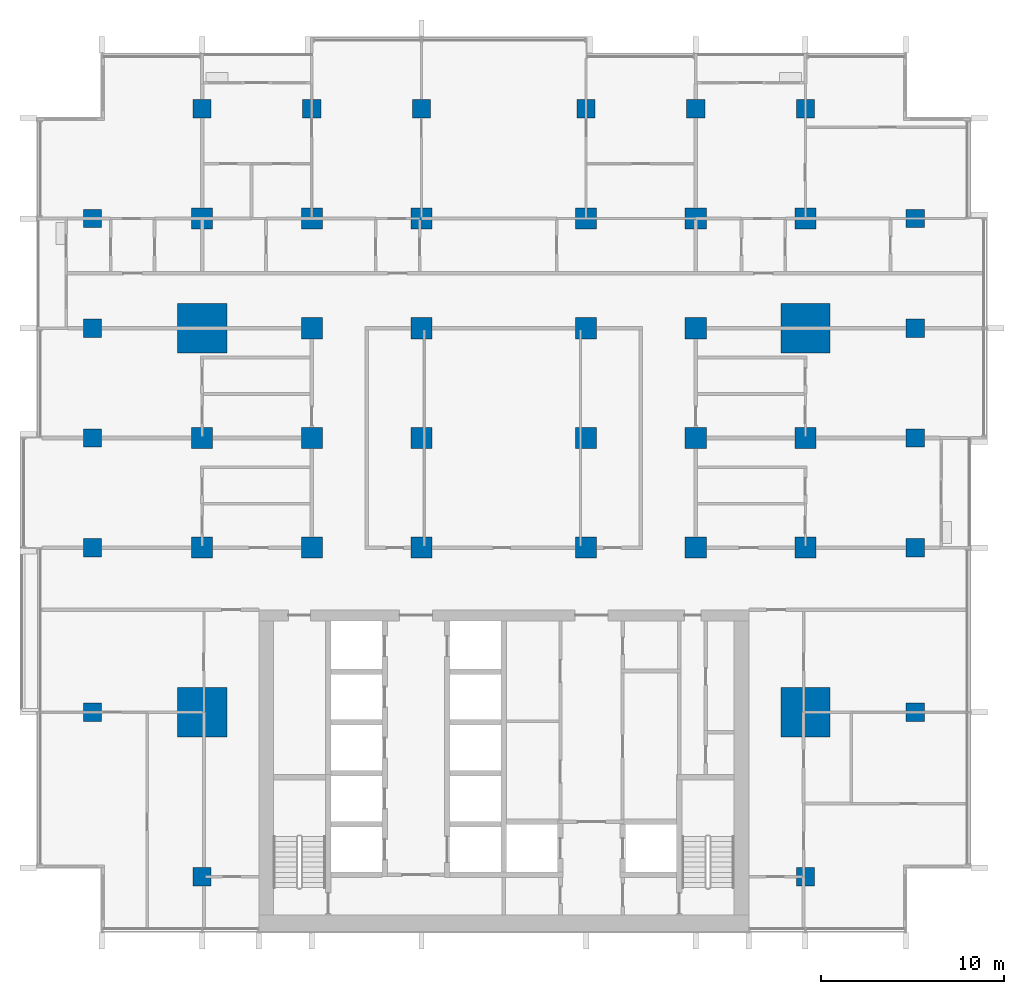
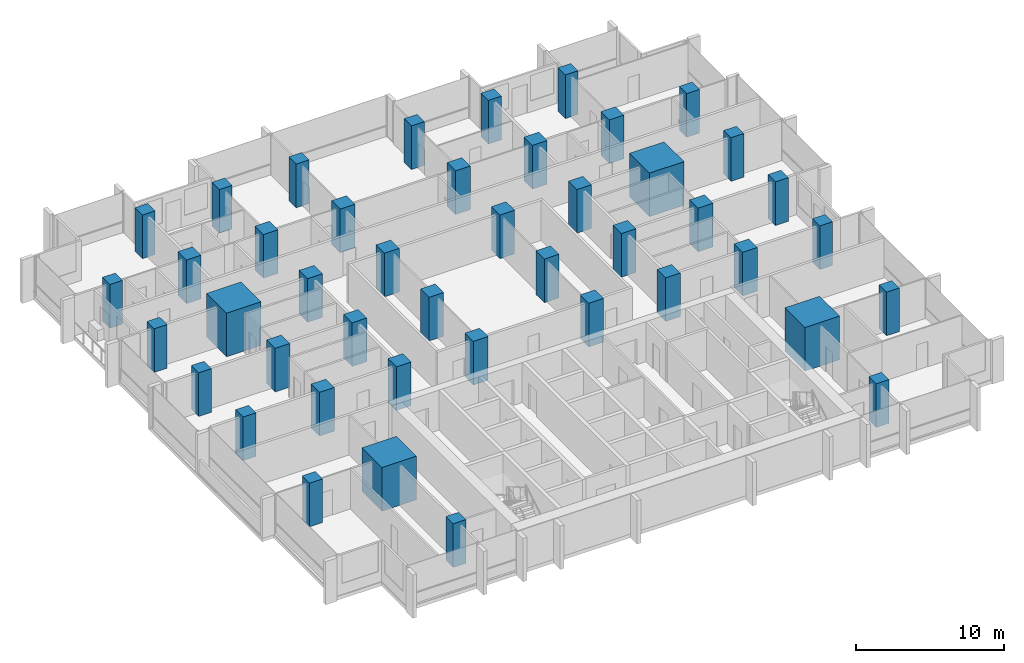
# One storey, part 1 of 17: 44 columns.
"""IFC4 building model written with IfcOpenShell, lengths in metres."""

from ifc_helpers import new_model, si_unit, direction, frame, origin, origin_2d, place, context, subcontext, project, spatial, rectangle, extrude, material, material_profile, profile_set, type_object, element, save


model = new_model("IFC4")

# Units and contexts
model_context = context("Model", 3, precision=1e-05, world=origin(), true_north=direction((0.0, 1.0)))
body_context = subcontext(model_context, "Body", "Model", "MODEL_VIEW")
ifc_project = project(units=[si_unit("LENGTHUNIT", "METRE"), si_unit("AREAUNIT", "SQUARE_METRE"), si_unit("VOLUMEUNIT", "CUBIC_METRE"), si_unit("PLANEANGLEUNIT", "RADIAN"), si_unit("MASSUNIT", "GRAM", prefix="KILO")], contexts=[model_context])

# Site, building, storey
site_placement = place(None, origin())
site = spatial("IfcSite", under=ifc_project, at=site_placement, CompositionType="ELEMENT")
building_placement = place(site_placement, origin())
building = spatial("IfcBuilding", under=site, at=building_placement, Name="Finial Court Residences", CompositionType="ELEMENT")
storey_placement = place(building_placement, frame((0.0, 0.0, 120.699951171875)))
storey = spatial("IfcBuildingStorey", under=building, at=storey_placement, Name="L30", CompositionType="ELEMENT", Elevation=120.699951171875)

# Columns
ifc_material = material(Name="Concrete C70/85", Category="concrete")
ifc_material_profile_1 = material_profile(ifc_material, rectangle(XDim=1.14990234375, YDim=1.14990234375, at=origin_2d()), Name="1150x1150")
ifc_profile_set_1 = profile_set([ifc_material_profile_1], Name="Concrete C70/85")
column_type_1 = type_object("IfcColumnType", Name="Interior column 1150x1150 Concrete C70/85", PredefinedType="COLUMN", material=ifc_profile_set_1)
for number, where, z_axis, x_axis, name in (
    (1, (-16.5, -4.5, 0.0), (0.0, 0.0, 1.0), (1.0, 0.0, 0.0), "S:COL:L30:C4"),
    (2, (-16.5, 1.5, 0.0), (0.0, 0.0, 1.0), (1.0, 0.0, 0.0), "S:COL:L30:C5"),
    (3, (-16.5, 13.5, 0.0), (0.0, 0.0, 1.0), (1.0, 0.0, 0.0), "S:COL:L30:C7"),
    (4, (-10.5, -4.5, 0.0), (0.0, 0.0, 1.0), (1.0, 0.0, 0.0), "S:COL:L30:D4"),
    (5, (-10.5, 1.5, 0.0), (0.0, 0.0, 1.0), (1.0, 0.0, 0.0), "S:COL:L30:D5"),
    (6, (-10.5, 7.5, 0.0), (0.0, 0.0, 1.0), (1.0, 0.0, 0.0), "S:COL:L30:D6"),
    (7, (-10.5, 13.5, 0.0), (0.0, 0.0, 1.0), (1.0, 0.0, 0.0), "S:COL:L30:D7"),
    (8, (-4.5, -4.5, 0.0), (0.0, 0.0, 1.0), (1.0, 0.0, 0.0), "S:COL:L30:E4"),
    (9, (-4.5, 1.5, 0.0), (0.0, 0.0, 1.0), (1.0, 0.0, 0.0), "S:COL:L30:E5"),
    (10, (-4.5, 7.5, 0.0), (0.0, 0.0, 1.0), (1.0, 0.0, 0.0), "S:COL:L30:E6"),
    (11, (-4.5, 13.5, 0.0), (0.0, 0.0, 1.0), (1.0, 0.0, 0.0), "S:COL:L30:E7"),
    (12, (4.5, -4.5, 0.0), (0.0, 0.0, 1.0), (1.0, 0.0, 0.0), "S:COL:L30:F4"),
    (13, (4.5, 1.5, 0.0), (0.0, 0.0, 1.0), (1.0, 0.0, 0.0), "S:COL:L30:F5"),
    (14, (4.5, 7.5, 0.0), (0.0, 0.0, 1.0), (1.0, 0.0, 0.0), "S:COL:L30:F6"),
    (15, (4.5, 13.5, 0.0), (0.0, 0.0, 1.0), (1.0, 0.0, 0.0), "S:COL:L30:F7"),
    (16, (10.5, -4.5, 0.0), (0.0, 0.0, 1.0), (1.0, 0.0, 0.0), "S:COL:L30:G4"),
    (17, (10.5, 1.5, 0.0), (0.0, 0.0, 1.0), (1.0, 0.0, 0.0), "S:COL:L30:G5"),
    (18, (10.5, 7.5, 0.0), (0.0, 0.0, 1.0), (1.0, 0.0, 0.0), "S:COL:L30:G6"),
    (19, (10.5, 13.5, 0.0), (0.0, 0.0, 1.0), (1.0, 0.0, 0.0), "S:COL:L30:G7"),
    (20, (16.5, -4.5, 0.0), (0.0, 0.0, 1.0), (1.0, 0.0, 0.0), "S:COL:L30:H4"),
    (21, (16.5, 1.5, 0.0), (0.0, 0.0, 1.0), (1.0, 0.0, 0.0), "S:COL:L30:H5"),
    (22, (16.5, 13.5, 0.0), (0.0, 0.0, 1.0), (1.0, 0.0, 0.0), "S:COL:L30:H7"),
):
    element("IfcColumn", number, at=place(storey_placement, frame(where, z_axis=z_axis, x_axis=x_axis)), inside=storey, type_object=column_type_1, Name=name, PredefinedType="COLUMN", context=body_context, shape_type="SweptSolid", body=[
        extrude(rectangle(XDim=1.14990234375, YDim=1.14990234375, at=origin_2d()), origin(), (0.0, 0.0, 1.0), 3.60009765625),
    ])
ifc_material_profile_2 = material_profile(ifc_material, rectangle(XDim=2.699951171875, YDim=2.699951171875, at=origin_2d()), Name="2700x2700")
ifc_profile_set_2 = profile_set([ifc_material_profile_2], Name="Concrete C70/85")
column_type_2 = type_object("IfcColumnType", Name="Mega column 2700x2700 Concrete C70/85", PredefinedType="COLUMN", material=ifc_profile_set_2)
for number, where, z_axis, x_axis, name in (
    (23, (-16.5, -13.5, 0.0), (0.0, 0.0, 1.0), (1.0, 0.0, 0.0), "S:COL:L30:C3"),
    (24, (-16.5, 7.5, 0.0), (0.0, 0.0, 1.0), (1.0, 0.0, 0.0), "S:COL:L30:C6"),
    (25, (16.5, -13.5, 0.0), (0.0, 0.0, 1.0), (1.0, 0.0, 0.0), "S:COL:L30:H3"),
    (26, (16.5, 7.5, 0.0), (0.0, 0.0, 1.0), (1.0, 0.0, 0.0), "S:COL:L30:H6"),
):
    element("IfcColumn", number, at=place(storey_placement, frame(where, z_axis=z_axis, x_axis=x_axis)), inside=storey, type_object=column_type_2, Name=name, PredefinedType="COLUMN", context=body_context, shape_type="SweptSolid", body=[
        extrude(rectangle(XDim=2.699951171875, YDim=2.699951171875, at=origin_2d()), origin(), (0.0, 0.0, 1.0), 3.60009765625),
    ])
ifc_material_profile_3 = material_profile(ifc_material, rectangle(XDim=1.0, YDim=1.0, at=origin_2d()), Name="1000x1000")
ifc_profile_set_3 = profile_set([ifc_material_profile_3], Name="Concrete C70/85")
column_type_3 = type_object("IfcColumnType", Name="Perimeter column 1000x1000 Concrete C70/85", PredefinedType="COLUMN", material=ifc_profile_set_3)
for number, where, z_axis, x_axis, name in (
    (27, (-22.5, -13.5, 0.0), (0.0, 0.0, 1.0), (1.0, 0.0, 0.0), "S:COL:L30:B3"),
    (28, (-22.5, -4.5, 0.0), (0.0, 0.0, 1.0), (1.0, 0.0, 0.0), "S:COL:L30:B4"),
    (29, (-22.5, 1.5, 0.0), (0.0, 0.0, 1.0), (1.0, 0.0, 0.0), "S:COL:L30:B5"),
    (30, (-22.5, 7.5, 0.0), (0.0, 0.0, 1.0), (1.0, 0.0, 0.0), "S:COL:L30:B6"),
    (31, (-22.5, 13.5, 0.0), (0.0, 0.0, 1.0), (1.0, 0.0, 0.0), "S:COL:L30:B7"),
    (32, (-16.5, -22.5, 0.0), (0.0, 0.0, 1.0), (1.0, 0.0, 0.0), "S:COL:L30:C2"),
    (33, (-16.5, 19.5, 0.0), (0.0, 0.0, 1.0), (1.0, 0.0, 0.0), "S:COL:L30:C8"),
    (34, (-10.5, 19.5, 0.0), (0.0, 0.0, 1.0), (1.0, 0.0, 0.0), "S:COL:L30:D8"),
    (35, (-4.5, 19.5, 0.0), (0.0, 0.0, 1.0), (1.0, 0.0, 0.0), "S:COL:L30:E8"),
    (36, (4.5, 19.5, 0.0), (0.0, 0.0, 1.0), (1.0, 0.0, 0.0), "S:COL:L30:F8"),
    (37, (10.5, 19.5, 0.0), (0.0, 0.0, 1.0), (1.0, 0.0, 0.0), "S:COL:L30:G8"),
    (38, (16.5, -22.5, 0.0), (0.0, 0.0, 1.0), (1.0, 0.0, 0.0), "S:COL:L30:H2"),
    (39, (16.5, 19.5, 0.0), (0.0, 0.0, 1.0), (1.0, 0.0, 0.0), "S:COL:L30:H8"),
    (40, (22.5, -13.5, 0.0), (0.0, 0.0, 1.0), (1.0, 0.0, 0.0), "S:COL:L30:I3"),
    (41, (22.5, -4.5, 0.0), (0.0, 0.0, 1.0), (1.0, 0.0, 0.0), "S:COL:L30:I4"),
    (42, (22.5, 1.5, 0.0), (0.0, 0.0, 1.0), (1.0, 0.0, 0.0), "S:COL:L30:I5"),
    (43, (22.5, 7.5, 0.0), (0.0, 0.0, 1.0), (1.0, 0.0, 0.0), "S:COL:L30:I6"),
    (44, (22.5, 13.5, 0.0), (0.0, 0.0, 1.0), (1.0, 0.0, 0.0), "S:COL:L30:I7"),
):
    element("IfcColumn", number, at=place(storey_placement, frame(where, z_axis=z_axis, x_axis=x_axis)), inside=storey, type_object=column_type_3, Name=name, PredefinedType="COLUMN", context=body_context, shape_type="SweptSolid", body=[
        extrude(rectangle(XDim=1.0, YDim=1.0, at=origin_2d()), origin(), (0.0, 0.0, 1.0), 3.60009765625),
    ])

save(model, "model.ifc")
